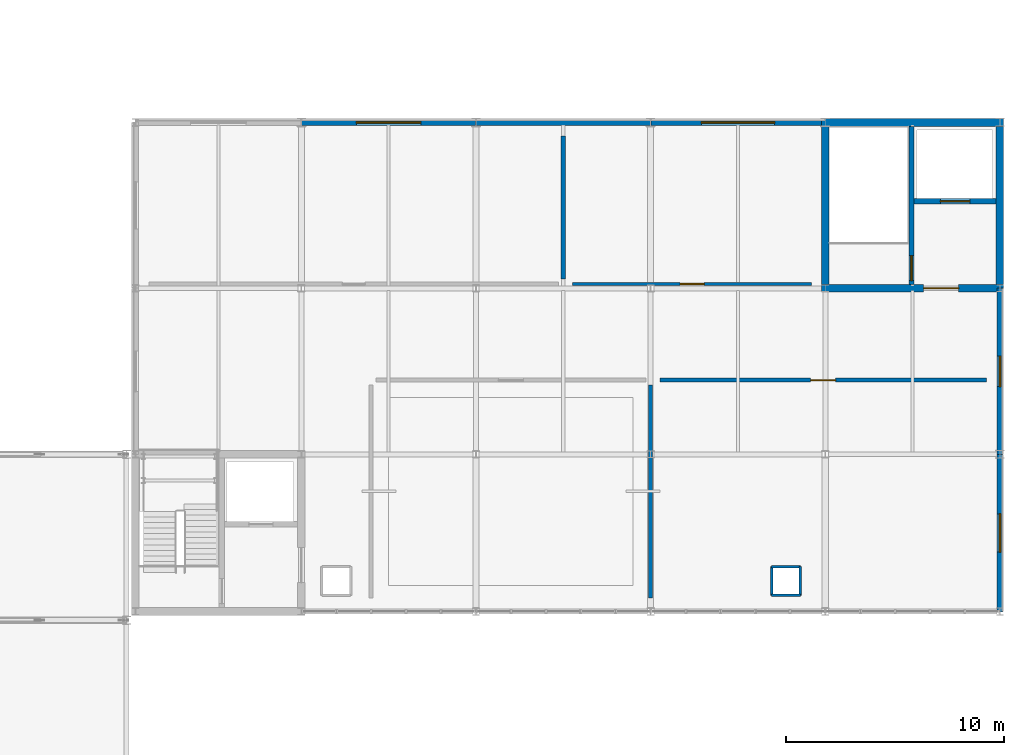
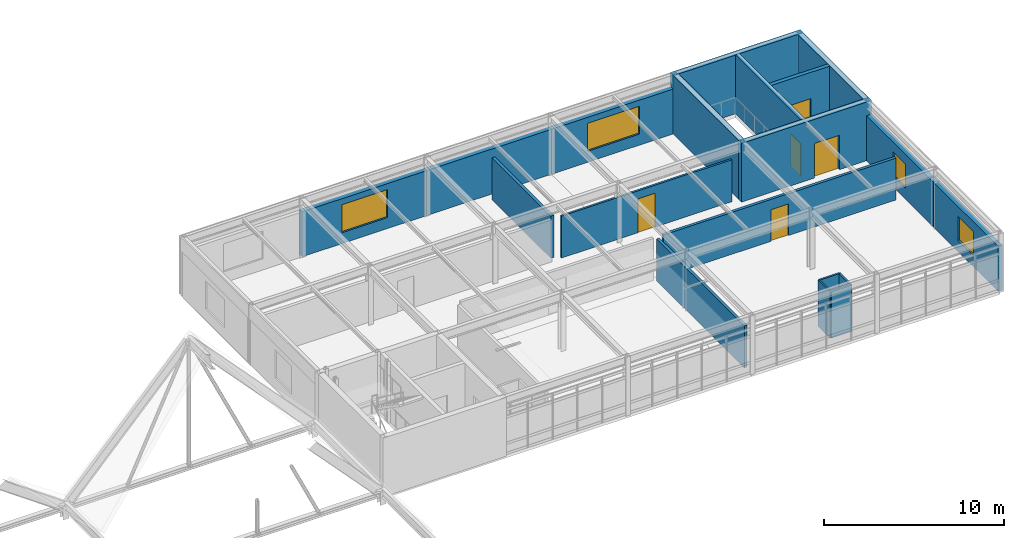
# One storey, part 74 of 85: 19 walls, 5 doors, 4 windows, 9 openings.
"""IFC4 building model written with IfcOpenShell, lengths in metres."""

from ifc_helpers import new_model, si_unit, direction, frame, frame_2d, origin, place, context, subcontext, project, spatial, rectangle, extrude, material, layer, layer_set, type_object, element, fill, save


model = new_model("IFC4")

# Units and contexts
model_context = context("Model", 3, precision=1e-05, world=origin(), true_north=direction((0.0, 1.0)))
body_context = subcontext(model_context, "Body", "Model", "MODEL_VIEW")
ifc_project = project(units=[si_unit("LENGTHUNIT", "METRE"), si_unit("AREAUNIT", "SQUARE_METRE"), si_unit("VOLUMEUNIT", "CUBIC_METRE"), si_unit("PLANEANGLEUNIT", "RADIAN"), si_unit("MASSUNIT", "GRAM", prefix="KILO")], contexts=[model_context])

# Site, building, storey
site_placement = place(None, origin())
site = spatial("IfcSite", under=ifc_project, at=site_placement, CompositionType="ELEMENT")
building_placement = place(site_placement, origin())
building = spatial("IfcBuilding", under=site, at=building_placement, Name="Zulena Civic Courthouse", CompositionType="ELEMENT")
storey_placement = place(building_placement, frame((0.0, 0.0, 25.199951171875)))
storey = spatial("IfcBuildingStorey", under=building, at=storey_placement, Name="L05", CompositionType="ELEMENT", Elevation=25.199951171875)

# Wall, opening, door
ifc_material_1 = material(Name="Concrete C40/50", Category="concrete")
ifc_layer_1 = layer(ifc_material_1, 0.25)
ifc_layer_set_1 = layer_set([ifc_layer_1], Name="Concrete C40/50")
wall_type_1 = type_object("IfcWallType", Name="CoreShearWall_RC250", PredefinedType="SHEAR", material=ifc_layer_set_1)
wall_1_placement = place(storey_placement, frame((159.949951171875, 45.77490234375, 0.0), z_axis=(0.0, 0.0, 1.0), x_axis=(0.0, 1.0, 0.0)))
wall_1 = element("IfcWall", 1, at=wall_1_placement, inside=storey, type_object=wall_type_1, Name="cwall:K3B:L05:DIV", PredefinedType="SHEAR", context=body_context, shape_type="SweptSolid", body=[
    extrude(rectangle(XDim=7.25, YDim=0.25, at=frame_2d((3.625, 0.0))), origin(), (0.0, 0.0, 1.0), 3.989990234375),
])
opening_1_placement = place(wall_1_placement, frame((0.179931640625, 0.0, 0.0)))
opening_1 = element("IfcOpeningElement", 2, at=opening_1_placement, cuts=wall_1, Name="Opening ID08", PredefinedType="OPENING", context=body_context, shape_type="SweptSolid", body=[
    extrude(rectangle(XDim=1.14990234375, YDim=2.199951171875, at=frame_2d((0.574951171875, 1.10009765625))), frame((0.0, 0.135009765625, 0.0), z_axis=(0.0, -1.0, 0.0), x_axis=(1.0, 0.0, 0.0)), (0.0, 0.0, 1.0), 0.27001953125),
])
ifc_material_2 = material(Name="Fire-rated galvanised steel ASTM A653 Grade 50", Category="steel")
door_type_1 = type_object("IfcDoorType", Name="IntDoor_Stair_1150x2200", OperationType="NOTDEFINED", PredefinedType="DOOR", material=ifc_material_2)
door_1_placement = place(opening_1_placement, origin())
door_1 = element("IfcDoor", 3, at=door_1_placement, inside=storey, type_object=door_type_1, Name="door:stair:K3B:L05", OperationType="SINGLE_SWING_RIGHT", OverallHeight=2.199951171875, OverallWidth=1.14990234375, PredefinedType="DOOR", context=body_context, shape_type="SweptSolid", body=[
    extrude(rectangle(XDim=1.14990234375, YDim=2.199951171875, at=frame_2d((0.574951171875, 1.10009765625))), frame((0.0, 0.02490234375, 0.0), z_axis=(0.0, -1.0, 0.0), x_axis=(1.0, 0.0, 0.0)), (0.0, 0.0, 1.0), 0.050048828125),
])
fill(opening_1, door_1)

wall_2_placement = place(storey_placement, frame((160.074951171875, 49.60009765625, 0.0), z_axis=(0.0, 0.0, 1.0), x_axis=(1.0, 0.0, 0.0)))
wall_2 = element("IfcWall", 4, at=wall_2_placement, inside=storey, type_object=wall_type_1, Name="cwall:K3B:L05:SHF", PredefinedType="SHEAR", context=body_context, shape_type="SweptSolid", body=[
    extrude(rectangle(XDim=3.75, YDim=0.25, at=frame_2d((1.875, 0.0))), origin(), (0.0, 0.0, 1.0), 3.989990234375),
])
opening_2_placement = place(wall_2_placement, frame((1.195068359375, 0.0, 0.0)))
opening_2 = element("IfcOpeningElement", 5, at=opening_2_placement, cuts=wall_2, Name="Opening LD04", PredefinedType="OPENING", context=body_context, shape_type="SweptSolid", body=[
    extrude(rectangle(XDim=1.35009765625, YDim=2.199951171875, at=frame_2d((0.675048828125, 1.10009765625))), frame((0.0, 0.135009765625, 0.0), z_axis=(0.0, -1.0, 0.0), x_axis=(1.0, 0.0, 0.0)), (0.0, 0.0, 1.0), 0.27001953125),
])
door_type_2 = type_object("IfcDoorType", Name="LiftLandingDoor_Goods_1350x2300", OperationType="DOUBLE_DOOR_SLIDING", PredefinedType="DOOR", material=ifc_material_2)
door_2_placement = place(opening_2_placement, origin())
door_2 = element("IfcDoor", 6, at=door_2_placement, inside=storey, type_object=door_type_2, Name="door:ld:GL-01:L05", OperationType="DOUBLE_DOOR_SLIDING", OverallHeight=2.199951171875, OverallWidth=1.35009765625, PredefinedType="DOOR", context=body_context, shape_type="SweptSolid", body=[
    extrude(rectangle(XDim=1.35009765625, YDim=2.199951171875, at=frame_2d((0.675048828125, 1.10009765625))), frame((0.0, 0.02490234375, 0.0), z_axis=(0.0, -1.0, 0.0), x_axis=(1.0, 0.0, 0.0)), (0.0, 0.0, 1.0), 0.050048828125),
])
fill(opening_2, door_2)

ifc_layer_2 = layer(ifc_material_1, 0.35009765625)
ifc_layer_set_2 = layer_set([ifc_layer_2], Name="Concrete C40/50")
wall_type_2 = type_object("IfcWallType", Name="CoreShearWall_RC350", PredefinedType="SHEAR", material=ifc_layer_set_2)
wall_3_placement = place(storey_placement, frame((155.824951171875, 45.60009765625, 0.0), z_axis=(0.0, 0.0, 1.0), x_axis=(1.0, 0.0, 0.0)))
wall_3 = element("IfcWall", 7, at=wall_3_placement, inside=storey, type_object=wall_type_2, Name="cwall:K3B:L05:S", PredefinedType="SHEAR", context=body_context, shape_type="SweptSolid", body=[
    extrude(rectangle(XDim=8.35009765625, YDim=0.35009765625, at=frame_2d((4.175048828125, 0.0))), origin(), (0.0, 0.0, 1.0), 3.989990234375),
])
opening_3_placement = place(wall_3_placement, frame((4.68505859375, 0.0, 0.0)))
opening_3 = element("IfcOpeningElement", 8, at=opening_3_placement, cuts=wall_3, Name="Opening ID04", PredefinedType="OPENING", context=body_context, shape_type="SweptSolid", body=[
    extrude(rectangle(XDim=1.60009765625, YDim=2.35009765625, at=frame_2d((0.800048828125, 1.175048828125))), frame((0.0, 0.18505859375, 0.0), z_axis=(0.0, -1.0, 0.0), x_axis=(1.0, 0.0, 0.0)), (0.0, 0.0, 1.0), 0.3701171875),
])
ifc_material_3 = material(Name="Solid-core acoustic hardwood timber", Category="wood")
door_type_3 = type_object("IfcDoorType", Name="IntDoor_CourtPublic_1600x2350", OperationType="DOUBLE_DOOR_SINGLE_SWING", PredefinedType="DOOR", material=ifc_material_3)
door_3_placement = place(opening_3_placement, origin())
door_3 = element("IfcDoor", 9, at=door_3_placement, inside=storey, type_object=door_type_3, Name="door:corelob:K3B:L05", OperationType="DOUBLE_DOOR_SINGLE_SWING", OverallHeight=2.35009765625, OverallWidth=1.60009765625, PredefinedType="DOOR", context=body_context, shape_type="SweptSolid", body=[
    extrude(rectangle(XDim=1.60009765625, YDim=2.35009765625, at=frame_2d((0.800048828125, 1.175048828125))), frame((0.0, 0.02490234375, 0.0), z_axis=(0.0, -1.0, 0.0), x_axis=(1.0, 0.0, 0.0)), (0.0, 0.0, 1.0), 0.050048828125),
])
fill(opening_3, door_3)

# Walls
wall_4_placement = place(storey_placement, frame((155.824951171875, 53.199951171875, 0.0), z_axis=(0.0, 0.0, 1.0), x_axis=(1.0, 0.0, 0.0)))
element("IfcWall", 10, at=wall_4_placement, inside=storey, type_object=wall_type_2, Name="cwall:K3B:L05:N", PredefinedType="SHEAR", context=body_context, shape_type="SweptSolid", body=[
    extrude(rectangle(XDim=8.35009765625, YDim=0.35009765625, at=frame_2d((4.175048828125, 0.0))), origin(), (0.0, 0.0, 1.0), 3.989990234375),
])
for number, where, z_axis, x_axis, name in (
    (11, (156.0, 45.77490234375, 0.0), (0.0, 0.0, 1.0), (0.0, 1.0, 0.0), "cwall:K3B:L05:W"),
    (12, (164.0, 45.77490234375, 0.0), (0.0, 0.0, 1.0), (0.0, 1.0, 0.0), "cwall:K3B:L05:E"),
):
    element("IfcWall", number, at=place(storey_placement, frame(where, z_axis=z_axis, x_axis=x_axis)), inside=storey, type_object=wall_type_2, Name=name, PredefinedType="SHEAR", context=body_context, shape_type="SweptSolid", body=[
        extrude(rectangle(XDim=7.25, YDim=0.35009765625, at=frame_2d((3.625, 0.0))), origin(), (0.0, 0.0, 1.0), 3.989990234375),
    ])

# Wall, opening, window
ifc_material_4 = material(Name="Travertine-cream architectural precast concrete C40/50", Category="masonry")
ifc_layer_3 = layer(ifc_material_4, 0.280029296875)
ifc_layer_set_3 = layer_set([ifc_layer_3], Name="Travertine-cream architectural precast concrete C40/50")
wall_type_3 = type_object("IfcWallType", Name="ExtWall_TravPrecast_280", PredefinedType="STANDARD", material=ifc_layer_set_3)
wall_5_placement = place(storey_placement, frame((131.97998046875, 53.199951171875, 0.0), z_axis=(0.0, 0.0, 1.0), x_axis=(1.0, 0.0, 0.0)))
wall_5 = element("IfcWall", 13, at=wall_5_placement, inside=storey, type_object=wall_type_3, Name="ewall:V3:L05:1:1", PredefinedType="STANDARD", context=body_context, shape_type="SweptSolid", body=[
    extrude(rectangle(XDim=8.0400390625, YDim=0.280029296875, at=frame_2d((4.02001953125, 0.0))), origin(), (0.0, 0.0, 1.0), 3.06005859375),
])
opening_4_placement = place(wall_5_placement, frame((2.544921875, 0.0, 0.75)))
opening_4 = element("IfcOpeningElement", 14, at=opening_4_placement, cuts=wall_5, Name="Opening WN40", PredefinedType="OPENING", context=body_context, shape_type="SweptSolid", body=[
    extrude(rectangle(XDim=2.949951171875, YDim=1.89990234375, at=frame_2d((1.47509765625, 0.949951171875))), frame((0.0, 0.14990234375, 0.0), z_axis=(0.0, -1.0, 0.0), x_axis=(1.0, 0.0, 0.0)), (0.0, 0.0, 1.0), 0.300048828125),
])
ifc_material_5 = material(Name="Double-silver low-E laminated solar-control glass", Category="glass")
window_type_1 = type_object("IfcWindowType", Name="Win_2950x1900", PartitioningType="DOUBLE_PANEL_VERTICAL", PredefinedType="WINDOW", material=ifc_material_5)
window_1_placement = place(opening_4_placement, origin())
window_1 = element("IfcWindow", 15, at=window_1_placement, inside=storey, type_object=window_type_1, Name="win:V3:L05:1:1", OverallHeight=1.89990234375, OverallWidth=2.949951171875, PartitioningType="SINGLE_PANEL", PredefinedType="WINDOW", context=body_context, shape_type="SweptSolid", body=[
    extrude(rectangle(XDim=2.949951171875, YDim=1.89990234375, at=frame_2d((1.47509765625, 0.949951171875))), frame((0.0, 0.030029296875, 0.0), z_axis=(0.0, -1.0, 0.0), x_axis=(1.0, 0.0, 0.0)), (0.0, 0.0, 1.0), 0.06005859375),
])
fill(opening_4, window_1)

# Wall
wall_6_placement = place(storey_placement, frame((139.97998046875, 53.199951171875, 0.0), z_axis=(0.0, 0.0, 1.0), x_axis=(1.0, 0.0, 0.0)))
element("IfcWall", 16, at=wall_6_placement, inside=storey, type_object=wall_type_3, Name="ewall:V3:L05:1:2", PredefinedType="STANDARD", context=body_context, shape_type="SweptSolid", body=[
    extrude(rectangle(XDim=8.0400390625, YDim=0.280029296875, at=frame_2d((4.02001953125, 0.0))), origin(), (0.0, 0.0, 1.0), 3.06005859375),
])

# Wall, opening, window
wall_7_placement = place(storey_placement, frame((147.97998046875, 53.199951171875, 0.0), z_axis=(0.0, 0.0, 1.0), x_axis=(1.0, 0.0, 0.0)))
wall_7 = element("IfcWall", 17, at=wall_7_placement, inside=storey, type_object=wall_type_3, Name="ewall:V3:L05:1:3", PredefinedType="STANDARD", context=body_context, shape_type="SweptSolid", body=[
    extrude(rectangle(XDim=8.0400390625, YDim=0.280029296875, at=frame_2d((4.02001953125, 0.0))), origin(), (0.0, 0.0, 1.0), 3.06005859375),
])
opening_5_placement = place(wall_7_placement, frame((2.344970703125, 0.0, 0.75)))
opening_5 = element("IfcOpeningElement", 18, at=opening_5_placement, cuts=wall_7, Name="Opening WN41", PredefinedType="OPENING", context=body_context, shape_type="SweptSolid", body=[
    extrude(rectangle(XDim=3.35009765625, YDim=1.89990234375, at=frame_2d((1.675048828125, 0.949951171875))), frame((0.0, 0.14990234375, 0.0), z_axis=(0.0, -1.0, 0.0), x_axis=(1.0, 0.0, 0.0)), (0.0, 0.0, 1.0), 0.300048828125),
])
window_type_2 = type_object("IfcWindowType", Name="Win_3350x1900", PartitioningType="DOUBLE_PANEL_VERTICAL", PredefinedType="WINDOW", material=ifc_material_5)
window_2_placement = place(opening_5_placement, origin())
window_2 = element("IfcWindow", 19, at=window_2_placement, inside=storey, type_object=window_type_2, Name="win:V3:L05:1:3", OverallHeight=1.89990234375, OverallWidth=3.35009765625, PartitioningType="SINGLE_PANEL", PredefinedType="WINDOW", context=body_context, shape_type="SweptSolid", body=[
    extrude(rectangle(XDim=3.35009765625, YDim=1.89990234375, at=frame_2d((1.675048828125, 0.949951171875))), frame((0.0, 0.030029296875, 0.0), z_axis=(0.0, -1.0, 0.0), x_axis=(1.0, 0.0, 0.0)), (0.0, 0.0, 1.0), 0.06005859375),
])
fill(opening_5, window_2)

wall_8_placement = place(storey_placement, frame((164.0, 45.6201171875, 0.0), z_axis=(0.0, 0.0, 1.0), x_axis=(0.0, -1.0, 0.0)))
wall_8 = element("IfcWall", 20, at=wall_8_placement, inside=storey, type_object=wall_type_3, Name="ewall:V3:L05:2:1", PredefinedType="STANDARD", context=body_context, shape_type="SweptSolid", body=[
    extrude(rectangle(XDim=7.64013671875, YDim=0.280029296875, at=frame_2d((3.820068359375, 0.0))), origin(), (0.0, 0.0, 1.0), 3.06005859375),
])
opening_6_placement = place(wall_8_placement, frame((3.1201171875, 0.0, 0.75)))
opening_6 = element("IfcOpeningElement", 21, at=opening_6_placement, cuts=wall_8, Name="Opening WN42", PredefinedType="OPENING", context=body_context, shape_type="SweptSolid", body=[
    extrude(rectangle(XDim=1.39990234375, YDim=1.64990234375, at=frame_2d((0.699951171875, 0.824951171875))), frame((0.0, 0.14990234375, 0.0), z_axis=(0.0, -1.0, 0.0), x_axis=(1.0, 0.0, 0.0)), (0.0, 0.0, 1.0), 0.300048828125),
])
window_type_3 = type_object("IfcWindowType", Name="Win_1400x1650", PartitioningType="SINGLE_PANEL", PredefinedType="WINDOW", material=ifc_material_5)
window_3_placement = place(opening_6_placement, origin())
window_3 = element("IfcWindow", 22, at=window_3_placement, inside=storey, type_object=window_type_3, Name="win:V3:L05:2:1", OverallHeight=1.64990234375, OverallWidth=1.39990234375, PartitioningType="SINGLE_PANEL", PredefinedType="WINDOW", context=body_context, shape_type="SweptSolid", body=[
    extrude(rectangle(XDim=1.39990234375, YDim=1.64990234375, at=frame_2d((0.699951171875, 0.824951171875))), frame((0.0, 0.030029296875, 0.0), z_axis=(0.0, -1.0, 0.0), x_axis=(1.0, 0.0, 0.0)), (0.0, 0.0, 1.0), 0.06005859375),
])
fill(opening_6, window_3)

wall_9_placement = place(storey_placement, frame((164.0, 38.02001953125, 0.0), z_axis=(0.0, 0.0, 1.0), x_axis=(0.0, -1.0, 0.0)))
wall_9 = element("IfcWall", 23, at=wall_9_placement, inside=storey, type_object=wall_type_3, Name="ewall:V3:L05:2:2", PredefinedType="STANDARD", context=body_context, shape_type="SweptSolid", body=[
    extrude(rectangle(XDim=7.239990234375, YDim=0.280029296875, at=frame_2d((3.6201171875, 0.0))), origin(), (0.0, 0.0, 1.0), 3.06005859375),
])
opening_7_placement = place(wall_9_placement, frame((2.7451171875, 0.0, 0.75)))
opening_7 = element("IfcOpeningElement", 24, at=opening_7_placement, cuts=wall_9, Name="Opening WN43", PredefinedType="OPENING", context=body_context, shape_type="SweptSolid", body=[
    extrude(rectangle(XDim=1.75, YDim=1.64990234375, at=frame_2d((0.875, 0.824951171875))), frame((0.0, 0.14990234375, 0.0), z_axis=(0.0, -1.0, 0.0), x_axis=(1.0, 0.0, 0.0)), (0.0, 0.0, 1.0), 0.300048828125),
])
window_type_4 = type_object("IfcWindowType", Name="Win_1750x1650", PartitioningType="SINGLE_PANEL", PredefinedType="WINDOW", material=ifc_material_5)
window_4_placement = place(opening_7_placement, origin())
window_4 = element("IfcWindow", 25, at=window_4_placement, inside=storey, type_object=window_type_4, Name="win:V3:L05:2:2", OverallHeight=1.64990234375, OverallWidth=1.75, PartitioningType="SINGLE_PANEL", PredefinedType="WINDOW", context=body_context, shape_type="SweptSolid", body=[
    extrude(rectangle(XDim=1.75, YDim=1.64990234375, at=frame_2d((0.875, 0.824951171875))), frame((0.0, 0.030029296875, 0.0), z_axis=(0.0, -1.0, 0.0), x_axis=(1.0, 0.0, 0.0)), (0.0, 0.0, 1.0), 0.06005859375),
])
fill(opening_7, window_4)

# Wall
ifc_material_6 = material(Name="Acoustic fire-rated gypsum board assembly", Category="masonry")
ifc_layer_4 = layer(ifc_material_6, 0.177978515625)
ifc_layer_set_4 = layer_set([ifc_layer_4], Name="Acoustic fire-rated gypsum board assembly")
wall_type_4 = type_object("IfcWallType", Name="PartWall_Corridor_178", PredefinedType="PARTITIONING", material=ifc_layer_set_4)
wall_10_placement = place(storey_placement, frame((148.0, 31.419921875, 0.0), z_axis=(0.0, 0.0, 1.0), x_axis=(0.0, 1.0, 0.0)))
element("IfcWall", 26, at=wall_10_placement, inside=storey, type_object=wall_type_4, Name="pwall:L05:284:1", PredefinedType="PARTITIONING", context=body_context, shape_type="SweptSolid", body=[
    extrude(rectangle(XDim=9.760009765625, YDim=0.177978515625, at=frame_2d((4.8798828125, 0.0))), origin(), (0.0, 0.0, 1.0), 2.85009765625),
])

# Wall, opening, door
wall_11_placement = place(storey_placement, frame((148.419921875, 41.39990234375, 0.0), z_axis=(0.0, 0.0, 1.0), x_axis=(1.0, 0.0, 0.0)))
wall_11 = element("IfcWall", 27, at=wall_11_placement, inside=storey, type_object=wall_type_4, Name="pwall:L05:285:0", PredefinedType="PARTITIONING", context=body_context, shape_type="SweptSolid", body=[
    extrude(rectangle(XDim=14.9599609375, YDim=0.177978515625, at=frame_2d((7.47998046875, 0.0))), origin(), (0.0, 0.0, 1.0), 2.85009765625),
])
opening_8_placement = place(wall_11_placement, frame((6.905029296875, 0.0, 0.0)))
opening_8 = element("IfcOpeningElement", 28, at=opening_8_placement, cuts=wall_11, Name="Opening ID09", PredefinedType="OPENING", context=body_context, shape_type="SweptSolid", body=[
    extrude(rectangle(XDim=1.14990234375, YDim=2.14990234375, at=frame_2d((0.574951171875, 1.074951171875))), frame((0.0, 0.098876953125, 0.0), z_axis=(0.0, -1.0, 0.0), x_axis=(1.0, 0.0, 0.0)), (0.0, 0.0, 1.0), 0.197998046875),
])
door_type_4 = type_object("IfcDoorType", Name="IntDoor_Custody_1150x2150", OperationType="NOTDEFINED", PredefinedType="DOOR", material=ifc_material_2)
door_4_placement = place(opening_8_placement, origin())
door_4 = element("IfcDoor", 29, at=door_4_placement, inside=storey, type_object=door_type_4, Name="door:rm:L05:285", OperationType="SINGLE_SWING_LEFT", OverallHeight=2.14990234375, OverallWidth=1.14990234375, PredefinedType="DOOR", context=body_context, shape_type="SweptSolid", body=[
    extrude(rectangle(XDim=1.14990234375, YDim=2.14990234375, at=frame_2d((0.574951171875, 1.074951171875))), frame((0.0, 0.02490234375, 0.0), z_axis=(0.0, -1.0, 0.0), x_axis=(1.0, 0.0, 0.0)), (0.0, 0.0, 1.0), 0.050048828125),
])
fill(opening_8, door_4)

# Walls
ifc_material_7 = material(Name="Insulated blockwork masonry ASTM C90", Category="masonry")
ifc_layer_5 = layer(ifc_material_7, 0.196044921875)
ifc_layer_set_5 = layer_set([ifc_layer_5], Name="Insulated blockwork masonry ASTM C90")
wall_type_5 = type_object("IfcWallType", Name="PartWall_Plant_196", PredefinedType="PARTITIONING", material=ifc_layer_set_5)
wall_12_placement = place(storey_placement, frame((144.0, 46.02001953125, 0.0), z_axis=(0.0, 0.0, 1.0), x_axis=(0.0, 1.0, 0.0)))
element("IfcWall", 30, at=wall_12_placement, inside=storey, type_object=wall_type_5, Name="pwall:L05:286:1", PredefinedType="PARTITIONING", context=body_context, shape_type="SweptSolid", body=[
    extrude(rectangle(XDim=6.56005859375, YDim=0.196044921875, at=frame_2d((3.280029296875, 0.0))), origin(), (0.0, 0.0, 1.0), 2.85009765625),
])
ifc_layer_6 = layer(ifc_material_7, 0.114990234375)
ifc_layer_set_6 = layer_set([ifc_layer_6], Name="Insulated blockwork masonry ASTM C90")
wall_type_6 = type_object("IfcWallType", Name="PartWall_Riser_115", PredefinedType="PARTITIONING", material=ifc_layer_set_6)
for number, where, z_axis, x_axis, name in (
    (31, (153.5400390625, 31.5400390625, 0.0), (0.0, 0.0, 1.0), (1.0, 0.0, 0.0), "riser:RS-V3E:L05:0"),
    (32, (154.860107421875, 31.5400390625, 0.0), (0.0, 0.0, 1.0), (0.0, 1.0, 0.0), "riser:RS-V3E:L05:1"),
    (33, (154.860107421875, 32.860107421875, 0.0), (0.0, 0.0, 1.0), (-1.0, 0.0, 0.0), "riser:RS-V3E:L05:2"),
    (34, (153.5400390625, 32.860107421875, 0.0), (0.0, 0.0, 1.0), (0.0, -1.0, 0.0), "riser:RS-V3E:L05:3"),
):
    element("IfcWall", number, at=place(storey_placement, frame(where, z_axis=z_axis, x_axis=x_axis)), inside=storey, type_object=wall_type_6, Name=name, PredefinedType="PARTITIONING", context=body_context, shape_type="SweptSolid", body=[
        extrude(rectangle(XDim=1.320068359375, YDim=0.114990234375, at=frame_2d((0.66015625, 0.0))), origin(), (0.0, 0.0, 1.0), 3.150146484375),
    ])

# Wall, opening, door
ifc_layer_7 = layer(ifc_material_7, 0.1279296875)
ifc_layer_set_7 = layer_set([ifc_layer_7], Name="Insulated blockwork masonry ASTM C90")
wall_type_7 = type_object("IfcWallType", Name="PartWall_WetRoom_128", PredefinedType="PARTITIONING", material=ifc_layer_set_7)
wall_13_placement = place(storey_placement, frame((144.419921875, 45.800048828125, 0.0), z_axis=(0.0, 0.0, 1.0), x_axis=(1.0, 0.0, 0.0)))
wall_13 = element("IfcWall", 35, at=wall_13_placement, inside=storey, type_object=wall_type_7, Name="pwall:L05:287:0", PredefinedType="PARTITIONING", context=body_context, shape_type="SweptSolid", body=[
    extrude(rectangle(XDim=10.9599609375, YDim=0.1279296875, at=frame_2d((5.47998046875, 0.0))), origin(), (0.0, 0.0, 1.0), 2.85009765625),
])
opening_9_placement = place(wall_13_placement, frame((4.929931640625, 0.0, 0.0)))
opening_9 = element("IfcOpeningElement", 36, at=opening_9_placement, cuts=wall_13, Name="Opening ID11", PredefinedType="OPENING", context=body_context, shape_type="SweptSolid", body=[
    extrude(rectangle(XDim=1.10009765625, YDim=2.300048828125, at=frame_2d((0.550048828125, 1.14990234375))), frame((0.0, 0.073974609375, 0.0), z_axis=(0.0, -1.0, 0.0), x_axis=(1.0, 0.0, 0.0)), (0.0, 0.0, 1.0), 0.14794921875),
])
door_type_5 = type_object("IfcDoorType", Name="IntDoor_Jury_1100x2300", OperationType="NOTDEFINED", PredefinedType="DOOR", material=ifc_material_3)
door_5_placement = place(opening_9_placement, origin())
door_5 = element("IfcDoor", 37, at=door_5_placement, inside=storey, type_object=door_type_5, Name="door:rm:L05:287", OperationType="SINGLE_SWING_LEFT", OverallHeight=2.300048828125, OverallWidth=1.10009765625, PredefinedType="DOOR", context=body_context, shape_type="SweptSolid", body=[
    extrude(rectangle(XDim=1.10009765625, YDim=2.300048828125, at=frame_2d((0.550048828125, 1.14990234375))), frame((0.0, 0.02490234375, 0.0), z_axis=(0.0, -1.0, 0.0), x_axis=(1.0, 0.0, 0.0)), (0.0, 0.0, 1.0), 0.050048828125),
])
fill(opening_9, door_5)

save(model, "model.ifc")
